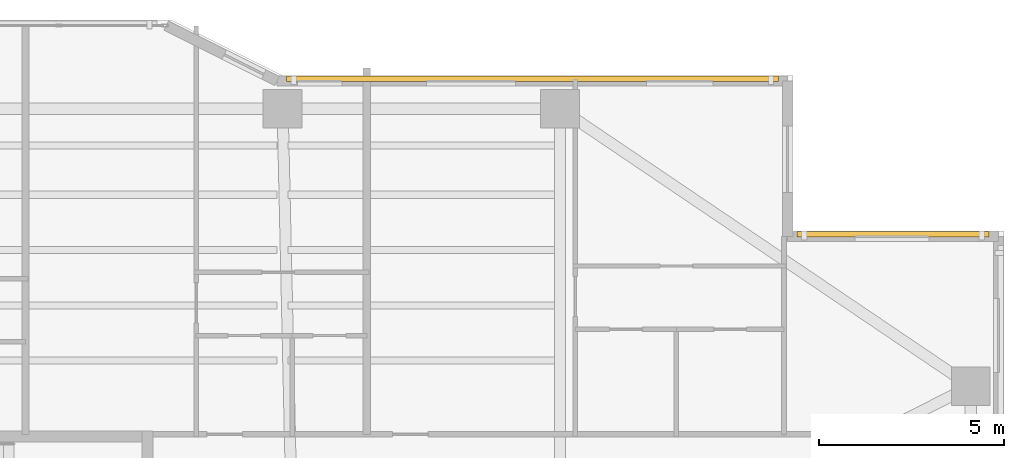
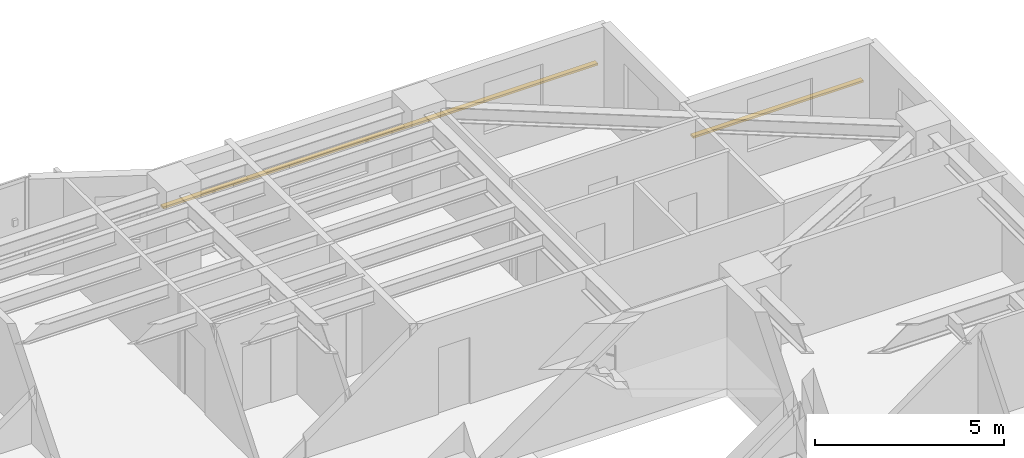
# One storey, part 18 of 18: 2 shading devices.
"""IFC4 building model written with IfcOpenShell, lengths in metres."""

from ifc_helpers import new_model, si_unit, direction, frame, origin, origin_2d, place, context, subcontext, project, spatial, rectangle, extrude, material, material_profile, profile_set, type_object, element, save


model = new_model("IFC4")

# Units and contexts
model_context = context("Model", 3, precision=1e-05, world=origin(), true_north=direction((0.0, 1.0)))
body_context = subcontext(model_context, "Body", "Model", "MODEL_VIEW")
ifc_project = project(units=[si_unit("LENGTHUNIT", "METRE"), si_unit("AREAUNIT", "SQUARE_METRE"), si_unit("VOLUMEUNIT", "CUBIC_METRE"), si_unit("PLANEANGLEUNIT", "RADIAN"), si_unit("MASSUNIT", "GRAM", prefix="KILO")], contexts=[model_context])

# Site, building, storey
site_placement = place(None, origin())
site = spatial("IfcSite", under=ifc_project, at=site_placement, CompositionType="ELEMENT")
building_placement = place(site_placement, origin())
building = spatial("IfcBuilding", under=site, at=building_placement, Name="Tarnavaz Court Tower", CompositionType="ELEMENT")
storey_placement = place(building_placement, frame((0.0, 0.0, 91.699951171875)))
storey = spatial("IfcBuildingStorey", under=building, at=storey_placement, Name="L24", CompositionType="ELEMENT", Elevation=91.699951171875)

# Shading devices
ifc_material = material(Name="Kiln-Fired Khorasan Terracotta Ceramic", Category="masonry")
ifc_material_profile = material_profile(ifc_material, rectangle(XDim=0.14990234375, YDim=0.06494140625, at=origin_2d()), Name="TC BAGUETTE 150X65")
ifc_profile_set = profile_set([ifc_material_profile], Name="Kiln-Fired Khorasan Terracotta Ceramic")
shading_device_type = type_object("IfcShadingDeviceType", Name="SD-BAG-150", PredefinedType="USERDEFINED", material=ifc_profile_set)
shading_device_1_placement = place(storey_placement, frame((7.60009765625, 22.110107421875, 1.85009765625), z_axis=(1.0, 0.0, 0.0), x_axis=(0.0, 1.0, 0.0)))
element("IfcShadingDevice", 1, at=shading_device_1_placement, inside=storey, type_object=shading_device_type, Name="L24 Terracotta Baguette Screen FBG09", ObjectType="BAGUETTE", PredefinedType="USERDEFINED", context=body_context, shape_type="SweptSolid", body=[
    extrude(rectangle(XDim=0.14990234375, YDim=0.06494140625, at=origin_2d()), origin(), (0.0, 0.0, 1.0), 13.2998046875),
])
shading_device_2_placement = place(storey_placement, frame((21.39990234375, 17.909912109375, 1.85009765625), z_axis=(1.0, 0.0, 0.0), x_axis=(0.0, 1.0, 0.0)))
element("IfcShadingDevice", 2, at=shading_device_2_placement, inside=storey, type_object=shading_device_type, Name="L24 Terracotta Baguette Screen FBG11", ObjectType="BAGUETTE", PredefinedType="USERDEFINED", context=body_context, shape_type="SweptSolid", body=[
    extrude(rectangle(XDim=0.14990234375, YDim=0.06494140625, at=origin_2d()), origin(), (0.0, 0.0, 1.0), 5.2001953125),
])

save(model, "model.ifc")
